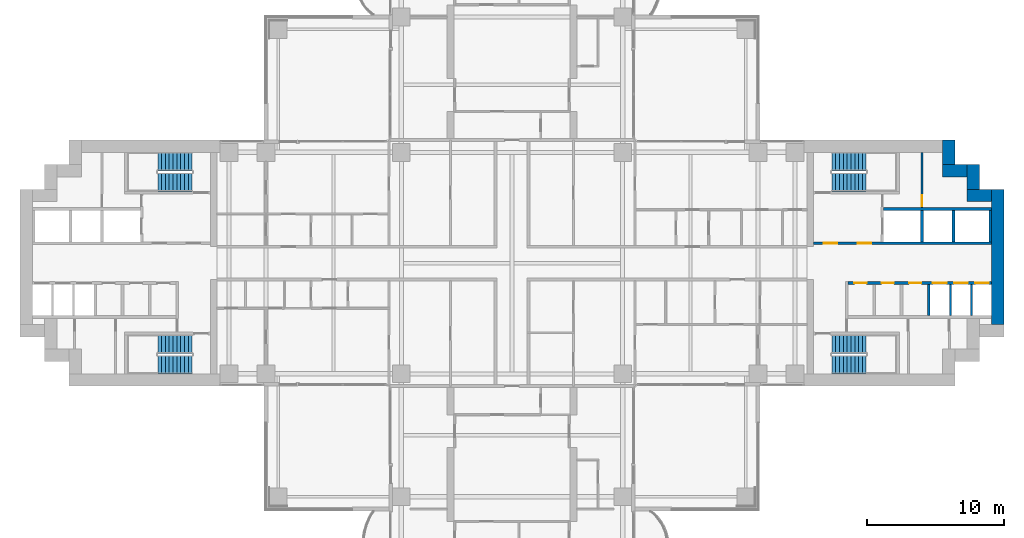
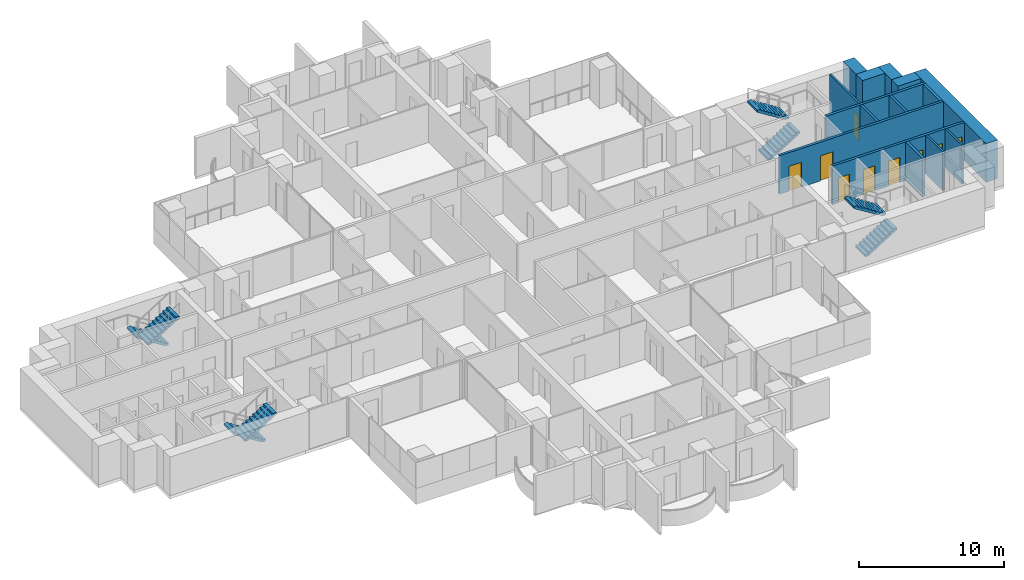
# One storey, part 16 of 20: 15 walls, 9 doors, 8 stair flights, 9 openings, 4 elements without a shape of their own.
"""IFC4 building model written with IfcOpenShell, lengths in metres."""

from ifc_helpers import new_model, si_unit, direction, frame, frame_2d, origin, place, context, subcontext, project, spatial, polyline, rectangle, outline, extrude, material, layer, layer_set, type_object, element, fill, aggregate, save


model = new_model("IFC4")

# Units and contexts
model_context = context("Model", 3, precision=1e-05, world=origin(), true_north=direction((0.0, 1.0)))
body_context = subcontext(model_context, "Body", "Model", "MODEL_VIEW")
ifc_project = project(units=[si_unit("LENGTHUNIT", "METRE"), si_unit("AREAUNIT", "SQUARE_METRE"), si_unit("VOLUMEUNIT", "CUBIC_METRE"), si_unit("PLANEANGLEUNIT", "RADIAN"), si_unit("MASSUNIT", "GRAM", prefix="KILO")], contexts=[model_context])

# Site, building, storey
site_placement = place(None, origin())
site = spatial("IfcSite", under=ifc_project, at=site_placement, CompositionType="ELEMENT")
building_placement = place(site_placement, origin())
building = spatial("IfcBuilding", under=site, at=building_placement, Name="Perihelion Cross Residences", CompositionType="ELEMENT")
storey_placement = place(building_placement, frame((0.0, 0.0, 78.5)))
storey = spatial("IfcBuildingStorey", under=building, at=storey_placement, Name="L17", CompositionType="ELEMENT", Elevation=78.5)

# Walls
ifc_material_1 = material(Name="Concrete C60/75", Category="concrete")
ifc_layer_1 = layer(ifc_material_1, 0.89990234375)
ifc_layer_set_1 = layer_set([ifc_layer_1], Name="Core wall, outer 900")
wall_type_1 = type_object("IfcWallType", Name="Core wall, outer 900", PredefinedType="SHEAR", material=ifc_layer_set_1)
wall_1_placement = place(storey_placement, frame((35.550048828125, -4.5, 0.0), z_axis=(0.0, 0.0, 1.0), x_axis=(0.0, 1.0, 0.0)))
element("IfcWall", 1, at=wall_1_placement, inside=storey, type_object=wall_type_1, Name="East core core wall, outer", PredefinedType="SHEAR", context=body_context, shape_type="SweptSolid", body=[
    extrude(rectangle(XDim=9.89990234375, YDim=0.89990234375, at=frame_2d((4.949951171875, 0.0))), origin(), (0.0, 0.0, 1.0), 3.25),
])
for number, where, z_axis, x_axis, name in (
    (2, (33.300048828125, 4.949951171875, 0.0), (0.0, 0.0, 1.0), (1.0, 0.0, 0.0), "East core core wall, outer"),
    (3, (33.75, 5.39990234375, 0.0), (0.0, 0.0, 1.0), (0.0, 1.0, 0.0), "East core core wall, outer"),
    (4, (31.5, 6.75, 0.0), (0.0, 0.0, 1.0), (1.0, 0.0, 0.0), "East core core wall, outer"),
    (5, (31.949951171875, 7.199951171875, 0.0), (0.0, 0.0, 1.0), (0.0, 1.0, 0.0), "East core core wall, outer"),
):
    element("IfcWall", number, at=place(storey_placement, frame(where, z_axis=z_axis, x_axis=x_axis)), inside=storey, type_object=wall_type_1, Name=name, PredefinedType="SHEAR", context=body_context, shape_type="SweptSolid", body=[
        extrude(rectangle(XDim=1.800048828125, YDim=0.89990234375, at=frame_2d((0.89990234375, 0.0))), origin(), (0.0, 0.0, 1.0), 3.25),
    ])

# Wall, opening, door
ifc_material_2 = material(Name="Fire-rated board on steel stud", Category="steel")
ifc_layer_2 = layer(ifc_material_2, 0.14990234375)
ifc_layer_set_2 = layer_set([ifc_layer_2], Name="Riser wall 150")
wall_type_2 = type_object("IfcWallType", Name="Riser wall 150", PredefinedType="PARTITIONING", material=ifc_layer_set_2)
wall_2_placement = place(storey_placement, frame((30.0, 4.050048828125, 0.0), z_axis=(0.0, 0.0, 1.0), x_axis=(0.0, 1.0, 0.0)))
wall_2 = element("IfcWall", 6, at=wall_2_placement, inside=storey, type_object=wall_type_2, Name="East core riser wall", PredefinedType="PARTITIONING", context=body_context, shape_type="SweptSolid", body=[
    extrude(rectangle(XDim=4.050048828125, YDim=0.14990234375, at=frame_2d((2.02490234375, 0.0))), origin(), (0.0, 0.0, 1.0), 3.25),
])
opening_1_placement = place(wall_2_placement, frame((0.10009765625, 0.0, 0.0)))
opening_1 = element("IfcOpeningElement", 7, at=opening_1_placement, cuts=wall_2, Name="Opening L17.C15", PredefinedType="OPENING", context=body_context, shape_type="SweptSolid", body=[
    extrude(rectangle(XDim=0.800048828125, YDim=2.10009765625, at=frame_2d((0.39990234375, 1.050048828125))), frame((0.0, 0.0849609375, 0.0), z_axis=(0.0, -1.0, 0.0), x_axis=(1.0, 0.0, 0.0)), (0.0, 0.0, 1.0), 0.169921875),
])
ifc_material_3 = material(Name="Steel, powder coated", Category="steel")
door_type_1 = type_object("IfcDoorType", Name="Riser door 800", OperationType="SINGLE_SWING_LEFT", PredefinedType="DOOR", material=ifc_material_3)
door_1_placement = place(opening_1_placement, origin())
door_1 = element("IfcDoor", 8, at=door_1_placement, inside=storey, type_object=door_type_1, Name="East core riser door", OperationType="SINGLE_SWING_LEFT", OverallHeight=2.10009765625, OverallWidth=0.800048828125, PredefinedType="DOOR", context=body_context, shape_type="SweptSolid", body=[
    extrude(rectangle(XDim=0.800048828125, YDim=2.10009765625, at=frame_2d((0.39990234375, 1.050048828125))), frame((0.0, 0.02490234375, 0.0), z_axis=(0.0, -1.0, 0.0), x_axis=(1.0, 0.0, 0.0)), (0.0, 0.0, 1.0), 0.050048828125),
])
fill(opening_1, door_1)

# Walls
ifc_material_4 = material(Name="Concrete C50/60", Category="concrete")
ifc_layer_3 = layer(ifc_material_4, 0.14990234375)
ifc_layer_set_3 = layer_set([ifc_layer_3], Name="Shaft wall 150")
wall_type_3 = type_object("IfcWallType", Name="Shaft wall 150", PredefinedType="SOLIDWALL", material=ifc_layer_set_3)
for number, where, z_axis, x_axis, name in (
    (9, (32.074951171875, -3.85009765625, 0.0), (0.0, 0.0, 1.0), (0.0, 1.0, 0.0), "East core shaft wall"),
    (10, (33.625, -3.85009765625, 0.0), (0.0, 0.0, 1.0), (0.0, 1.0, 0.0), "East core shaft wall"),
):
    element("IfcWall", number, at=place(storey_placement, frame(where, z_axis=z_axis, x_axis=x_axis)), inside=storey, type_object=wall_type_3, Name=name, PredefinedType="SOLIDWALL", context=body_context, shape_type="SweptSolid", body=[
        extrude(rectangle(XDim=2.300048828125, YDim=0.14990234375, at=frame_2d((1.14990234375, 0.0))), origin(), (0.0, 0.0, 1.0), 3.25),
    ])

# Wall, openings, doors
ifc_material_5 = material(Name="Concrete C50/60", Category="concrete")
ifc_layer_4 = layer(ifc_material_5, 0.199951171875)
ifc_layer_set_4 = layer_set([ifc_layer_4], Name="Shaft wall 200")
wall_type_4 = type_object("IfcWallType", Name="Shaft wall 200", PredefinedType="SOLIDWALL", material=ifc_layer_set_4)
wall_3_placement = place(storey_placement, frame((22.050048828125, 1.449951171875, 0.0), z_axis=(0.0, 0.0, 1.0), x_axis=(1.0, 0.0, 0.0)))
wall_3 = element("IfcWall", 11, at=wall_3_placement, inside=storey, type_object=wall_type_4, Name="East core shaft wall", PredefinedType="SOLIDWALL", context=body_context, shape_type="SweptSolid", body=[
    extrude(rectangle(XDim=13.050048828125, YDim=0.199951171875, at=frame_2d((6.52490234375, 0.0))), origin(), (0.0, 0.0, 1.0), 3.25),
])
opening_2_placement = place(wall_3_placement, frame((0.75, 0.0, 0.0)))
opening_2 = element("IfcOpeningElement", 12, at=opening_2_placement, cuts=wall_3, Name="Opening L17.C07", PredefinedType="OPENING", context=body_context, shape_type="SweptSolid", body=[
    extrude(rectangle(XDim=1.0, YDim=2.10009765625, at=frame_2d((0.5, 1.050048828125))), frame((0.0, 0.10986328125, 0.0), z_axis=(0.0, -1.0, 0.0), x_axis=(1.0, 0.0, 0.0)), (0.0, 0.0, 1.0), 0.219970703125),
])
opening_3_placement = place(wall_3_placement, frame((3.25, 0.0, 0.0)))
opening_3 = element("IfcOpeningElement", 13, at=opening_3_placement, cuts=wall_3, Name="Opening L17.C10", PredefinedType="OPENING", context=body_context, shape_type="SweptSolid", body=[
    extrude(rectangle(XDim=1.0, YDim=2.10009765625, at=frame_2d((0.5, 1.050048828125))), frame((0.0, 0.10986328125, 0.0), z_axis=(0.0, -1.0, 0.0), x_axis=(1.0, 0.0, 0.0)), (0.0, 0.0, 1.0), 0.219970703125),
])
ifc_material_6 = material(Name="Steel, powder coated", Category="steel")
door_type_2 = type_object("IfcDoorType", Name="Lobby door 1000", OperationType="SINGLE_SWING_LEFT", PredefinedType="DOOR", material=ifc_material_6)
door_2_placement = place(opening_2_placement, origin())
door_2 = element("IfcDoor", 14, at=door_2_placement, inside=storey, type_object=door_type_2, Name="East core firefighting lobby door", OperationType="SINGLE_SWING_LEFT", OverallHeight=2.10009765625, OverallWidth=1.0, PredefinedType="DOOR", context=body_context, shape_type="SweptSolid", body=[
    extrude(rectangle(XDim=1.0, YDim=2.10009765625, at=frame_2d((0.5, 1.050048828125))), frame((0.0, 0.02490234375, 0.0), z_axis=(0.0, -1.0, 0.0), x_axis=(1.0, 0.0, 0.0)), (0.0, 0.0, 1.0), 0.050048828125),
])
fill(opening_2, door_2)
door_3_placement = place(opening_3_placement, origin())
door_3 = element("IfcDoor", 15, at=door_3_placement, inside=storey, type_object=door_type_2, Name="East core firefighting lobby door", OperationType="SINGLE_SWING_LEFT", OverallHeight=2.10009765625, OverallWidth=1.0, PredefinedType="DOOR", context=body_context, shape_type="SweptSolid", body=[
    extrude(rectangle(XDim=1.0, YDim=2.10009765625, at=frame_2d((0.5, 1.050048828125))), frame((0.0, 0.02490234375, 0.0), z_axis=(0.0, -1.0, 0.0), x_axis=(1.0, 0.0, 0.0)), (0.0, 0.0, 1.0), 0.050048828125),
])
fill(opening_3, door_3)

wall_4_placement = place(storey_placement, frame((24.60009765625, -1.449951171875, 0.0), z_axis=(0.0, 0.0, 1.0), x_axis=(1.0, 0.0, 0.0)))
wall_4 = element("IfcWall", 16, at=wall_4_placement, inside=storey, type_object=wall_type_4, Name="East core shaft wall", PredefinedType="SOLIDWALL", context=body_context, shape_type="SweptSolid", body=[
    extrude(rectangle(XDim=10.5, YDim=0.199951171875, at=frame_2d((5.25, 0.0))), origin(), (0.0, 0.0, 1.0), 3.25),
])
opening_4_placement = place(wall_4_placement, frame((6.199951171875, 0.0, 0.0)))
opening_4 = element("IfcOpeningElement", 17, at=opening_4_placement, cuts=wall_4, Name="Opening L17.C02", PredefinedType="OPENING", context=body_context, shape_type="SweptSolid", body=[
    extrude(rectangle(XDim=1.0, YDim=2.10009765625, at=frame_2d((0.5, 1.050048828125))), frame((0.0, 0.10986328125, 0.0), z_axis=(0.0, -1.0, 0.0), x_axis=(1.0, 0.0, 0.0)), (0.0, 0.0, 1.0), 0.219970703125),
])
opening_5_placement = place(wall_4_placement, frame((7.75, 0.0, 0.0)))
opening_5 = element("IfcOpeningElement", 18, at=opening_5_placement, cuts=wall_4, Name="Opening L17.C03", PredefinedType="OPENING", context=body_context, shape_type="SweptSolid", body=[
    extrude(rectangle(XDim=1.0, YDim=2.10009765625, at=frame_2d((0.5, 1.050048828125))), frame((0.0, 0.10986328125, 0.0), z_axis=(0.0, -1.0, 0.0), x_axis=(1.0, 0.0, 0.0)), (0.0, 0.0, 1.0), 0.219970703125),
])
opening_6_placement = place(wall_4_placement, frame((9.300048828125, 0.0, 0.0)))
opening_6 = element("IfcOpeningElement", 19, at=opening_6_placement, cuts=wall_4, Name="Opening L17.C04", PredefinedType="OPENING", context=body_context, shape_type="SweptSolid", body=[
    extrude(rectangle(XDim=1.0, YDim=2.10009765625, at=frame_2d((0.5, 1.050048828125))), frame((0.0, 0.10986328125, 0.0), z_axis=(0.0, -1.0, 0.0), x_axis=(1.0, 0.0, 0.0)), (0.0, 0.0, 1.0), 0.219970703125),
])
opening_7_placement = place(wall_4_placement, frame((0.449951171875, 0.0, 0.0)))
opening_7 = element("IfcOpeningElement", 20, at=opening_7_placement, cuts=wall_4, Name="Opening L17.C09", PredefinedType="OPENING", context=body_context, shape_type="SweptSolid", body=[
    extrude(rectangle(XDim=0.89990234375, YDim=2.10009765625, at=frame_2d((0.449951171875, 1.050048828125))), frame((0.0, 0.10986328125, 0.0), z_axis=(0.0, -1.0, 0.0), x_axis=(1.0, 0.0, 0.0)), (0.0, 0.0, 1.0), 0.219970703125),
])
opening_8_placement = place(wall_4_placement, frame((2.449951171875, 0.0, 0.0)))
opening_8 = element("IfcOpeningElement", 21, at=opening_8_placement, cuts=wall_4, Name="Opening L17.C12", PredefinedType="OPENING", context=body_context, shape_type="SweptSolid", body=[
    extrude(rectangle(XDim=0.89990234375, YDim=2.10009765625, at=frame_2d((0.449951171875, 1.050048828125))), frame((0.0, 0.10986328125, 0.0), z_axis=(0.0, -1.0, 0.0), x_axis=(1.0, 0.0, 0.0)), (0.0, 0.0, 1.0), 0.219970703125),
])
opening_9_placement = place(wall_4_placement, frame((4.449951171875, 0.0, 0.0)))
opening_9 = element("IfcOpeningElement", 22, at=opening_9_placement, cuts=wall_4, Name="Opening L17.C14", PredefinedType="OPENING", context=body_context, shape_type="SweptSolid", body=[
    extrude(rectangle(XDim=0.89990234375, YDim=2.10009765625, at=frame_2d((0.449951171875, 1.050048828125))), frame((0.0, 0.10986328125, 0.0), z_axis=(0.0, -1.0, 0.0), x_axis=(1.0, 0.0, 0.0)), (0.0, 0.0, 1.0), 0.219970703125),
])
ifc_material_7 = material(Name="Stainless steel", Category="steel")
door_type_3 = type_object("IfcDoorType", Name="Landing door 1000", OperationType="DOUBLE_DOOR_SLIDING", PredefinedType="DOOR", material=ifc_material_7)
door_4_placement = place(opening_4_placement, origin())
door_4 = element("IfcDoor", 23, at=door_4_placement, inside=storey, type_object=door_type_3, Name="Landing door, East core low-rise lift 1", OperationType="DOUBLE_DOOR_SLIDING", OverallHeight=2.10009765625, OverallWidth=1.0, PredefinedType="DOOR", context=body_context, shape_type="SweptSolid", body=[
    extrude(rectangle(XDim=1.0, YDim=2.10009765625, at=frame_2d((0.5, 1.050048828125))), frame((0.0, 0.02490234375, 0.0), z_axis=(0.0, -1.0, 0.0), x_axis=(1.0, 0.0, 0.0)), (0.0, 0.0, 1.0), 0.050048828125),
])
fill(opening_4, door_4)
door_5_placement = place(opening_5_placement, origin())
door_5 = element("IfcDoor", 24, at=door_5_placement, inside=storey, type_object=door_type_3, Name="Landing door, East core low-rise lift 2", OperationType="DOUBLE_DOOR_SLIDING", OverallHeight=2.10009765625, OverallWidth=1.0, PredefinedType="DOOR", context=body_context, shape_type="SweptSolid", body=[
    extrude(rectangle(XDim=1.0, YDim=2.10009765625, at=frame_2d((0.5, 1.050048828125))), frame((0.0, 0.02490234375, 0.0), z_axis=(0.0, -1.0, 0.0), x_axis=(1.0, 0.0, 0.0)), (0.0, 0.0, 1.0), 0.050048828125),
])
fill(opening_5, door_5)
door_6_placement = place(opening_6_placement, origin())
door_6 = element("IfcDoor", 25, at=door_6_placement, inside=storey, type_object=door_type_3, Name="Landing door, East core low-rise lift 3", OperationType="DOUBLE_DOOR_SLIDING", OverallHeight=2.10009765625, OverallWidth=1.0, PredefinedType="DOOR", context=body_context, shape_type="SweptSolid", body=[
    extrude(rectangle(XDim=1.0, YDim=2.10009765625, at=frame_2d((0.5, 1.050048828125))), frame((0.0, 0.02490234375, 0.0), z_axis=(0.0, -1.0, 0.0), x_axis=(1.0, 0.0, 0.0)), (0.0, 0.0, 1.0), 0.050048828125),
])
fill(opening_6, door_6)
ifc_material_8 = material(Name="Steel, powder coated", Category="steel")
door_type_4 = type_object("IfcDoorType", Name="Service room door 900", OperationType="SINGLE_SWING_LEFT", PredefinedType="DOOR", material=ifc_material_8)
door_7_placement = place(opening_7_placement, origin())
door_7 = element("IfcDoor", 26, at=door_7_placement, inside=storey, type_object=door_type_4, Name="East core service room door", OperationType="SINGLE_SWING_LEFT", OverallHeight=2.10009765625, OverallWidth=0.89990234375, PredefinedType="DOOR", context=body_context, shape_type="SweptSolid", body=[
    extrude(rectangle(XDim=0.89990234375, YDim=2.10009765625, at=frame_2d((0.449951171875, 1.050048828125))), frame((0.0, 0.02490234375, 0.0), z_axis=(0.0, -1.0, 0.0), x_axis=(1.0, 0.0, 0.0)), (0.0, 0.0, 1.0), 0.050048828125),
])
fill(opening_7, door_7)
door_8_placement = place(opening_8_placement, origin())
door_8 = element("IfcDoor", 27, at=door_8_placement, inside=storey, type_object=door_type_4, Name="East core service room door", OperationType="SINGLE_SWING_LEFT", OverallHeight=2.10009765625, OverallWidth=0.89990234375, PredefinedType="DOOR", context=body_context, shape_type="SweptSolid", body=[
    extrude(rectangle(XDim=0.89990234375, YDim=2.10009765625, at=frame_2d((0.449951171875, 1.050048828125))), frame((0.0, 0.02490234375, 0.0), z_axis=(0.0, -1.0, 0.0), x_axis=(1.0, 0.0, 0.0)), (0.0, 0.0, 1.0), 0.050048828125),
])
fill(opening_8, door_8)
door_9_placement = place(opening_9_placement, origin())
door_9 = element("IfcDoor", 28, at=door_9_placement, inside=storey, type_object=door_type_4, Name="East core service room door", OperationType="SINGLE_SWING_LEFT", OverallHeight=2.10009765625, OverallWidth=0.89990234375, PredefinedType="DOOR", context=body_context, shape_type="SweptSolid", body=[
    extrude(rectangle(XDim=0.89990234375, YDim=2.10009765625, at=frame_2d((0.449951171875, 1.050048828125))), frame((0.0, 0.02490234375, 0.0), z_axis=(0.0, -1.0, 0.0), x_axis=(1.0, 0.0, 0.0)), (0.0, 0.0, 1.0), 0.050048828125),
])
fill(opening_9, door_9)

# Walls
wall_5_placement = place(storey_placement, frame((27.199951171875, 3.949951171875, 0.0), z_axis=(0.0, 0.0, 1.0), x_axis=(1.0, 0.0, 0.0)))
element("IfcWall", 29, at=wall_5_placement, inside=storey, type_object=wall_type_4, Name="East core shaft wall", PredefinedType="SOLIDWALL", context=body_context, shape_type="SweptSolid", body=[
    extrude(rectangle(XDim=7.900146484375, YDim=0.199951171875, at=frame_2d((3.9501953125, 0.0))), origin(), (0.0, 0.0, 1.0), 3.25),
])
for number, where, z_axis, x_axis, name in (
    (30, (30.0, 1.550048828125, 0.0), (0.0, 0.0, 1.0), (0.0, 1.0, 0.0), "East core shaft wall"),
    (31, (32.300048828125, 1.550048828125, 0.0), (0.0, 0.0, 1.0), (0.0, 1.0, 0.0), "East core shaft wall"),
    (32, (35.0, 1.550048828125, 0.0), (0.0, 0.0, 1.0), (0.0, 1.0, 0.0), "East core shaft wall"),
    (33, (30.5, -3.85009765625, 0.0), (0.0, 0.0, 1.0), (0.0, 1.0, 0.0), "East core shaft wall"),
):
    element("IfcWall", number, at=place(storey_placement, frame(where, z_axis=z_axis, x_axis=x_axis)), inside=storey, type_object=wall_type_4, Name=name, PredefinedType="SOLIDWALL", context=body_context, shape_type="SweptSolid", body=[
        extrude(rectangle(XDim=2.300048828125, YDim=0.199951171875, at=frame_2d((1.14990234375, 0.0))), origin(), (0.0, 0.0, 1.0), 3.25),
    ])

# Stair, stair flights
ifc_material_9 = material(Name="Concrete C40/50", Category="concrete")
stair_type = type_object("IfcStairType", Name="Exit stair, half-turn", PredefinedType="HALF_TURN_STAIR", material=ifc_material_9)
stair_1_placement = place(storey_placement, origin())
stair_1 = element("IfcStair", 34, at=stair_1_placement, inside=storey, type_object=stair_type, Name="L17 East core exit stair 1", PredefinedType="HALF_TURN_STAIR")
ifc_material_10 = material(Name="Concrete C40/50", Category="concrete")
stair_flight_type = type_object("IfcStairFlightType", Name="Exit stair flight", PredefinedType="STRAIGHT", material=ifc_material_10)
stair_flight_1_placement = place(storey_placement, frame((23.39990234375, 5.925048828125, 0.0), z_axis=(0.0, 0.0, 1.0), x_axis=(1.0, 0.0, 0.0)))
stair_flight_1 = element("IfcStairFlight", 35, at=stair_flight_1_placement, type_object=stair_flight_type, Name="ST-E1 flight 1", NumberOfRisers=10, NumberOfTreads=9, PredefinedType="STRAIGHT", RiserHeight=0.175, TreadLength=0.28, context=body_context, shape_type="SweptSolid", body=[
    extrude(outline(polyline([(0.0, 0.0), (0.0, 0.175048828125), (0.280029296875, 0.175048828125), (0.280029296875, 0.35009765625), (0.56005859375, 0.35009765625), (0.56005859375, 0.52490234375), (0.840087890625, 0.52490234375), (0.840087890625, 0.699951171875), (1.1201171875, 0.699951171875), (1.1201171875, 0.875), (1.39990234375, 0.875), (1.39990234375, 1.050048828125), (1.679931640625, 1.050048828125), (1.679931640625, 1.22509765625), (1.9599609375, 1.22509765625), (1.9599609375, 1.39990234375), (2.239990234375, 1.39990234375), (2.239990234375, 1.574951171875), (2.52001953125, 1.574951171875), (2.52001953125, 1.75), (2.52001953125, 1.398193359375), (0.28271484375, 0.0), (0.0, 0.0)])), frame((0.0, 0.675048828125, 0.0), z_axis=(0.0, -1.0, 0.0), x_axis=(1.0, 0.0, 0.0)), (0.0, 0.0, 1.0), 1.35009765625),
])
stair_flight_2_placement = place(storey_placement, frame((25.919921875, 7.425048828125, 1.75), z_axis=(0.0, 0.0, 1.0), x_axis=(-1.0, 0.0, 0.0)))
stair_flight_2 = element("IfcStairFlight", 36, at=stair_flight_2_placement, type_object=stair_flight_type, Name="ST-E1 flight 2", NumberOfRisers=10, NumberOfTreads=9, PredefinedType="STRAIGHT", RiserHeight=0.175, TreadLength=0.28, context=body_context, shape_type="SweptSolid", body=[
    extrude(outline(polyline([(0.0, 0.0), (0.0, 0.175048828125), (0.280029296875, 0.175048828125), (0.280029296875, 0.35009765625), (0.56005859375, 0.35009765625), (0.56005859375, 0.52490234375), (0.840087890625, 0.52490234375), (0.840087890625, 0.699951171875), (1.1201171875, 0.699951171875), (1.1201171875, 0.875), (1.39990234375, 0.875), (1.39990234375, 1.050048828125), (1.679931640625, 1.050048828125), (1.679931640625, 1.22509765625), (1.9599609375, 1.22509765625), (1.9599609375, 1.39990234375), (2.239990234375, 1.39990234375), (2.239990234375, 1.574951171875), (2.52001953125, 1.574951171875), (2.52001953125, 1.75), (2.52001953125, 1.398193359375), (0.28271484375, 0.0), (0.0, 0.0)])), frame((0.0, 0.675048828125, 0.0), z_axis=(0.0, -1.0, 0.0), x_axis=(1.0, 0.0, 0.0)), (0.0, 0.0, 1.0), 1.35009765625),
])
aggregate(stair_1, [stair_flight_1, stair_flight_2])

stair_2_placement = place(storey_placement, origin())
stair_2 = element("IfcStair", 37, at=stair_2_placement, inside=storey, type_object=stair_type, Name="L17 East core exit stair 2", PredefinedType="HALF_TURN_STAIR")
stair_flight_3_placement = place(storey_placement, frame((23.39990234375, -7.425048828125, 0.0), z_axis=(0.0, 0.0, 1.0), x_axis=(1.0, 0.0, 0.0)))
stair_flight_3 = element("IfcStairFlight", 38, at=stair_flight_3_placement, type_object=stair_flight_type, Name="ST-E2 flight 1", NumberOfRisers=10, NumberOfTreads=9, PredefinedType="STRAIGHT", RiserHeight=0.175, TreadLength=0.28, context=body_context, shape_type="SweptSolid", body=[
    extrude(outline(polyline([(0.0, 0.0), (0.0, 0.175048828125), (0.280029296875, 0.175048828125), (0.280029296875, 0.35009765625), (0.56005859375, 0.35009765625), (0.56005859375, 0.52490234375), (0.840087890625, 0.52490234375), (0.840087890625, 0.699951171875), (1.1201171875, 0.699951171875), (1.1201171875, 0.875), (1.39990234375, 0.875), (1.39990234375, 1.050048828125), (1.679931640625, 1.050048828125), (1.679931640625, 1.22509765625), (1.9599609375, 1.22509765625), (1.9599609375, 1.39990234375), (2.239990234375, 1.39990234375), (2.239990234375, 1.574951171875), (2.52001953125, 1.574951171875), (2.52001953125, 1.75), (2.52001953125, 1.398193359375), (0.28271484375, 0.0), (0.0, 0.0)])), frame((0.0, 0.675048828125, 0.0), z_axis=(0.0, -1.0, 0.0), x_axis=(1.0, 0.0, 0.0)), (0.0, 0.0, 1.0), 1.35009765625),
])
stair_flight_4_placement = place(storey_placement, frame((25.919921875, -5.925048828125, 1.75), z_axis=(0.0, 0.0, 1.0), x_axis=(-1.0, 0.0, 0.0)))
stair_flight_4 = element("IfcStairFlight", 39, at=stair_flight_4_placement, type_object=stair_flight_type, Name="ST-E2 flight 2", NumberOfRisers=10, NumberOfTreads=9, PredefinedType="STRAIGHT", RiserHeight=0.175, TreadLength=0.28, context=body_context, shape_type="SweptSolid", body=[
    extrude(outline(polyline([(0.0, 0.0), (0.0, 0.175048828125), (0.280029296875, 0.175048828125), (0.280029296875, 0.35009765625), (0.56005859375, 0.35009765625), (0.56005859375, 0.52490234375), (0.840087890625, 0.52490234375), (0.840087890625, 0.699951171875), (1.1201171875, 0.699951171875), (1.1201171875, 0.875), (1.39990234375, 0.875), (1.39990234375, 1.050048828125), (1.679931640625, 1.050048828125), (1.679931640625, 1.22509765625), (1.9599609375, 1.22509765625), (1.9599609375, 1.39990234375), (2.239990234375, 1.39990234375), (2.239990234375, 1.574951171875), (2.52001953125, 1.574951171875), (2.52001953125, 1.75), (2.52001953125, 1.398193359375), (0.28271484375, 0.0), (0.0, 0.0)])), frame((0.0, 0.675048828125, 0.0), z_axis=(0.0, -1.0, 0.0), x_axis=(1.0, 0.0, 0.0)), (0.0, 0.0, 1.0), 1.35009765625),
])
aggregate(stair_2, [stair_flight_3, stair_flight_4])

stair_3_placement = place(storey_placement, origin())
stair_3 = element("IfcStair", 40, at=stair_3_placement, inside=storey, type_object=stair_type, Name="L17 West core exit stair 1", PredefinedType="HALF_TURN_STAIR")
stair_flight_5_placement = place(storey_placement, frame((-23.39990234375, 7.425048828125, 0.0), z_axis=(0.0, 0.0, 1.0), x_axis=(-1.0, 0.0, 0.0)))
stair_flight_5 = element("IfcStairFlight", 41, at=stair_flight_5_placement, type_object=stair_flight_type, Name="ST-W1 flight 1", NumberOfRisers=10, NumberOfTreads=9, PredefinedType="STRAIGHT", RiserHeight=0.175, TreadLength=0.28, context=body_context, shape_type="SweptSolid", body=[
    extrude(outline(polyline([(0.0, 0.0), (0.0, 0.175048828125), (0.280029296875, 0.175048828125), (0.280029296875, 0.35009765625), (0.56005859375, 0.35009765625), (0.56005859375, 0.52490234375), (0.840087890625, 0.52490234375), (0.840087890625, 0.699951171875), (1.1201171875, 0.699951171875), (1.1201171875, 0.875), (1.39990234375, 0.875), (1.39990234375, 1.050048828125), (1.679931640625, 1.050048828125), (1.679931640625, 1.22509765625), (1.9599609375, 1.22509765625), (1.9599609375, 1.39990234375), (2.239990234375, 1.39990234375), (2.239990234375, 1.574951171875), (2.52001953125, 1.574951171875), (2.52001953125, 1.75), (2.52001953125, 1.398193359375), (0.28271484375, 0.0), (0.0, 0.0)])), frame((0.0, 0.675048828125, 0.0), z_axis=(0.0, -1.0, 0.0), x_axis=(1.0, 0.0, 0.0)), (0.0, 0.0, 1.0), 1.35009765625),
])
stair_flight_6_placement = place(storey_placement, frame((-25.919921875, 5.925048828125, 1.75), z_axis=(0.0, 0.0, 1.0), x_axis=(1.0, 0.0, 0.0)))
stair_flight_6 = element("IfcStairFlight", 42, at=stair_flight_6_placement, type_object=stair_flight_type, Name="ST-W1 flight 2", NumberOfRisers=10, NumberOfTreads=9, PredefinedType="STRAIGHT", RiserHeight=0.175, TreadLength=0.28, context=body_context, shape_type="SweptSolid", body=[
    extrude(outline(polyline([(0.0, 0.0), (0.0, 0.175048828125), (0.280029296875, 0.175048828125), (0.280029296875, 0.35009765625), (0.56005859375, 0.35009765625), (0.56005859375, 0.52490234375), (0.840087890625, 0.52490234375), (0.840087890625, 0.699951171875), (1.1201171875, 0.699951171875), (1.1201171875, 0.875), (1.39990234375, 0.875), (1.39990234375, 1.050048828125), (1.679931640625, 1.050048828125), (1.679931640625, 1.22509765625), (1.9599609375, 1.22509765625), (1.9599609375, 1.39990234375), (2.239990234375, 1.39990234375), (2.239990234375, 1.574951171875), (2.52001953125, 1.574951171875), (2.52001953125, 1.75), (2.52001953125, 1.398193359375), (0.28271484375, 0.0), (0.0, 0.0)])), frame((0.0, 0.675048828125, 0.0), z_axis=(0.0, -1.0, 0.0), x_axis=(1.0, 0.0, 0.0)), (0.0, 0.0, 1.0), 1.35009765625),
])
aggregate(stair_3, [stair_flight_5, stair_flight_6])

stair_4_placement = place(storey_placement, origin())
stair_4 = element("IfcStair", 43, at=stair_4_placement, inside=storey, type_object=stair_type, Name="L17 West core exit stair 2", PredefinedType="HALF_TURN_STAIR")
stair_flight_7_placement = place(storey_placement, frame((-23.39990234375, -5.925048828125, 0.0), z_axis=(0.0, 0.0, 1.0), x_axis=(-1.0, 0.0, 0.0)))
stair_flight_7 = element("IfcStairFlight", 44, at=stair_flight_7_placement, type_object=stair_flight_type, Name="ST-W2 flight 1", NumberOfRisers=10, NumberOfTreads=9, PredefinedType="STRAIGHT", RiserHeight=0.175, TreadLength=0.28, context=body_context, shape_type="SweptSolid", body=[
    extrude(outline(polyline([(0.0, 0.0), (0.0, 0.175048828125), (0.280029296875, 0.175048828125), (0.280029296875, 0.35009765625), (0.56005859375, 0.35009765625), (0.56005859375, 0.52490234375), (0.840087890625, 0.52490234375), (0.840087890625, 0.699951171875), (1.1201171875, 0.699951171875), (1.1201171875, 0.875), (1.39990234375, 0.875), (1.39990234375, 1.050048828125), (1.679931640625, 1.050048828125), (1.679931640625, 1.22509765625), (1.9599609375, 1.22509765625), (1.9599609375, 1.39990234375), (2.239990234375, 1.39990234375), (2.239990234375, 1.574951171875), (2.52001953125, 1.574951171875), (2.52001953125, 1.75), (2.52001953125, 1.398193359375), (0.28271484375, 0.0), (0.0, 0.0)])), frame((0.0, 0.675048828125, 0.0), z_axis=(0.0, -1.0, 0.0), x_axis=(1.0, 0.0, 0.0)), (0.0, 0.0, 1.0), 1.35009765625),
])
stair_flight_8_placement = place(storey_placement, frame((-25.919921875, -7.425048828125, 1.75), z_axis=(0.0, 0.0, 1.0), x_axis=(1.0, 0.0, 0.0)))
stair_flight_8 = element("IfcStairFlight", 45, at=stair_flight_8_placement, type_object=stair_flight_type, Name="ST-W2 flight 2", NumberOfRisers=10, NumberOfTreads=9, PredefinedType="STRAIGHT", RiserHeight=0.175, TreadLength=0.28, context=body_context, shape_type="SweptSolid", body=[
    extrude(outline(polyline([(0.0, 0.0), (0.0, 0.175048828125), (0.280029296875, 0.175048828125), (0.280029296875, 0.35009765625), (0.56005859375, 0.35009765625), (0.56005859375, 0.52490234375), (0.840087890625, 0.52490234375), (0.840087890625, 0.699951171875), (1.1201171875, 0.699951171875), (1.1201171875, 0.875), (1.39990234375, 0.875), (1.39990234375, 1.050048828125), (1.679931640625, 1.050048828125), (1.679931640625, 1.22509765625), (1.9599609375, 1.22509765625), (1.9599609375, 1.39990234375), (2.239990234375, 1.39990234375), (2.239990234375, 1.574951171875), (2.52001953125, 1.574951171875), (2.52001953125, 1.75), (2.52001953125, 1.398193359375), (0.28271484375, 0.0), (0.0, 0.0)])), frame((0.0, 0.675048828125, 0.0), z_axis=(0.0, -1.0, 0.0), x_axis=(1.0, 0.0, 0.0)), (0.0, 0.0, 1.0), 1.35009765625),
])
aggregate(stair_4, [stair_flight_7, stair_flight_8])

save(model, "model.ifc")
